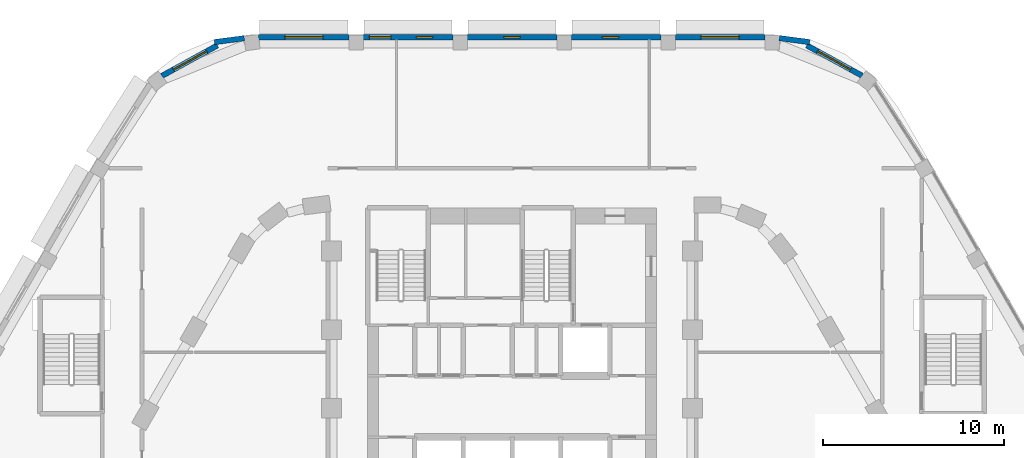
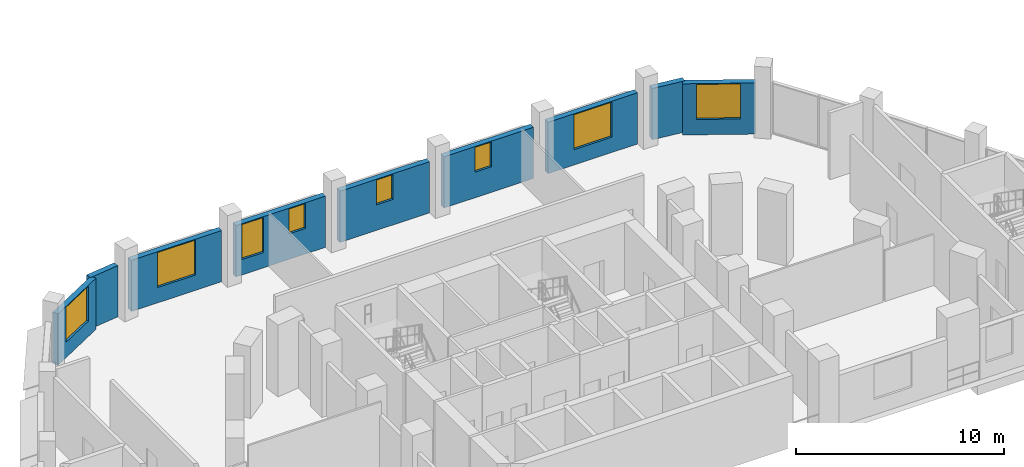
# One storey, part 22 of 45: 9 walls, 8 windows, 8 openings.
"""IFC4 building model written with IfcOpenShell, lengths in metres."""

from ifc_helpers import new_model, si_unit, direction, frame, frame_2d, origin, place, context, subcontext, project, spatial, rectangle, extrude, material, layer, layer_set, type_object, element, fill, save


model = new_model("IFC4")

# Units and contexts
model_context = context("Model", 3, precision=1e-05, world=origin(), true_north=direction((0.0, 1.0)))
body_context = subcontext(model_context, "Body", "Model", "MODEL_VIEW")
ifc_project = project(units=[si_unit("LENGTHUNIT", "METRE"), si_unit("AREAUNIT", "SQUARE_METRE"), si_unit("VOLUMEUNIT", "CUBIC_METRE"), si_unit("PLANEANGLEUNIT", "RADIAN"), si_unit("MASSUNIT", "GRAM", prefix="KILO")], contexts=[model_context])

# Site, building, storey
site_placement = place(None, origin())
site = spatial("IfcSite", under=ifc_project, at=site_placement, CompositionType="ELEMENT")
building_placement = place(site_placement, origin())
building = spatial("IfcBuilding", under=site, at=building_placement, Name="Nakaniwa Court", CompositionType="ELEMENT")
storey_placement = place(building_placement, frame((0.0, 0.0, 11.39990234375)))
storey = spatial("IfcBuildingStorey", under=building, at=storey_placement, Name="L02", CompositionType="ELEMENT", Elevation=11.39990234375)

# Wall, opening, window
ifc_material_1 = material(Name="Charcoal ceramic cladding")
ifc_layer_1 = layer(ifc_material_1, 0.02, Name="Ceramic cladding")
ifc_material_2 = material(Name="Ventilated air cavity")
ifc_layer_2 = layer(ifc_material_2, 0.04, ventilated=True, Name="Ventilated cavity")
ifc_material_3 = material(Name="Mineral wool insulation")
ifc_layer_3 = layer(ifc_material_3, 0.1, Name="Insulation")
ifc_material_4 = material(Name="Cement bonded sheathing board")
ifc_layer_4 = layer(ifc_material_4, 0.012, Name="Sheathing")
ifc_material_5 = material(Name="Cold-formed galvanised stud frame with mineral wool infill")
ifc_layer_5 = layer(ifc_material_5, 0.1, Name="Stud frame")
ifc_material_6 = material(Name="Fire-rated gypsum plasterboard lining")
ifc_layer_6 = layer(ifc_material_6, 0.028, Name="Lining")
ifc_layer_set = layer_set([ifc_layer_1, ifc_layer_2, ifc_layer_3, ifc_layer_4, ifc_layer_5, ifc_layer_6], Name="Charcoal ceramic faced external wall system")
wall_type = type_object("IfcWallType", Name="Black ceramic faced external wall 300", PredefinedType="SOLIDWALL", material=ifc_layer_set)
wall_1_placement = place(storey_placement, frame((99.388671875, 110.71533203125, 0.0), z_axis=(0.0, 0.0, 1.0), x_axis=(-0.876785818174, 0.480881096581, 0.0)))
wall_1 = element("IfcWall", 1, at=wall_1_placement, inside=storey, type_object=wall_type, Name="L02 external wall 44", PredefinedType="SOLIDWALL", context=body_context, shape_type="SweptSolid", body=[
    extrude(rectangle(XDim=3.49658203125, YDim=0.300048828125, at=frame_2d((1.748291015625, 0.0))), origin(), (0.0, 0.0, 1.0), 3.0),
])
opening_1_placement = place(wall_1_placement, frame((0.723388671875, 0.0, 0.89990234375)))
opening_1 = element("IfcOpeningElement", 2, at=opening_1_placement, cuts=wall_1, Name="Opening W2.32", PredefinedType="OPENING", context=body_context, shape_type="SweptSolid", body=[
    extrude(rectangle(XDim=2.10009765625, YDim=2.050048828125, at=frame_2d((1.050048828125, 1.02490234375))), frame((0.0, 0.159912109375, 0.0), z_axis=(0.0, -1.0, 0.0), x_axis=(1.0, 0.0, 0.0)), (0.0, 0.0, 1.0), 0.320068359375),
])
ifc_material_7 = material(Name="Black anodised aluminium frame with dark low-E laminated double glazing", Category="aluminium")
window_type_1 = type_object("IfcWindowType", Name="Dark glass window 2100x2050 sill 900", PartitioningType="SINGLE_PANEL", PredefinedType="WINDOW", material=ifc_material_7)
window_1_placement = place(opening_1_placement, origin())
window_1 = element("IfcWindow", 3, at=window_1_placement, inside=storey, type_object=window_type_1, Name="L02 habitable room window 44-0", OverallHeight=2.050048828125, OverallWidth=2.10009765625, PartitioningType="SINGLE_PANEL", PredefinedType="WINDOW", context=body_context, shape_type="SweptSolid", body=[
    extrude(rectangle(XDim=2.10009765625, YDim=2.050048828125, at=frame_2d((1.050048828125, 1.02490234375))), frame((0.0, 0.030029296875, 0.0), z_axis=(0.0, -1.0, 0.0), x_axis=(1.0, 0.0, 0.0)), (0.0, 0.0, 1.0), 0.06005859375),
])
fill(opening_1, window_1)

# Wall
wall_2_placement = place(storey_placement, frame((96.484619140625, 112.57861328125, 0.0), z_axis=(0.0, 0.0, 1.0), x_axis=(-0.991431291018, 0.130629227937, 0.0)))
element("IfcWall", 4, at=wall_2_placement, inside=storey, type_object=wall_type, Name="L02 external wall 45", PredefinedType="SOLIDWALL", context=body_context, shape_type="SweptSolid", body=[
    extrude(rectangle(XDim=1.698974609375, YDim=0.300048828125, at=frame_2d((0.849609375, 0.0))), origin(), (0.0, 0.0, 1.0), 3.0),
])

# Wall, opening, window
wall_3_placement = place(storey_placement, frame((94.00830078125, 112.85009765625, 0.0), z_axis=(0.0, 0.0, 1.0), x_axis=(-1.0, 0.0, 0.0)))
wall_3 = element("IfcWall", 5, at=wall_3_placement, inside=storey, type_object=wall_type, Name="L02 external wall 46", PredefinedType="SOLIDWALL", context=body_context, shape_type="SweptSolid", body=[
    extrude(rectangle(XDim=4.9697265625, YDim=0.300048828125, at=frame_2d((2.48486328125, 0.0))), origin(), (0.0, 0.0, 1.0), 3.0),
])
opening_2_placement = place(wall_3_placement, frame((1.434814453125, 0.0, 0.89990234375)))
opening_2 = element("IfcOpeningElement", 6, at=opening_2_placement, cuts=wall_3, Name="Opening W2.33", PredefinedType="OPENING", context=body_context, shape_type="SweptSolid", body=[
    extrude(rectangle(XDim=2.10009765625, YDim=2.050048828125, at=frame_2d((1.050048828125, 1.02490234375))), frame((0.0, 0.159912109375, 0.0), z_axis=(0.0, -1.0, 0.0), x_axis=(1.0, 0.0, 0.0)), (0.0, 0.0, 1.0), 0.320068359375),
])
window_2_placement = place(opening_2_placement, origin())
window_2 = element("IfcWindow", 7, at=window_2_placement, inside=storey, type_object=window_type_1, Name="L02 habitable room window 46-0", OverallHeight=2.050048828125, OverallWidth=2.10009765625, PartitioningType="SINGLE_PANEL", PredefinedType="WINDOW", context=body_context, shape_type="SweptSolid", body=[
    extrude(rectangle(XDim=2.10009765625, YDim=2.050048828125, at=frame_2d((1.050048828125, 1.02490234375))), frame((0.0, 0.030029296875, 0.0), z_axis=(0.0, -1.0, 0.0), x_axis=(1.0, 0.0, 0.0)), (0.0, 0.0, 1.0), 0.06005859375),
])
fill(opening_2, window_2)

wall_4_placement = place(storey_placement, frame((88.24658203125, 112.85009765625, 0.0), z_axis=(0.0, 0.0, 1.0), x_axis=(-1.0, 0.0, 0.0)))
wall_4 = element("IfcWall", 8, at=wall_4_placement, inside=storey, type_object=wall_type, Name="L02 external wall 47", PredefinedType="SOLIDWALL", context=body_context, shape_type="SweptSolid", body=[
    extrude(rectangle(XDim=4.9697265625, YDim=0.300048828125, at=frame_2d((2.48486328125, 0.0))), origin(), (0.0, 0.0, 1.0), 3.0),
])
opening_3_placement = place(wall_4_placement, frame((2.34619140625, 0.0, 1.5)))
opening_3 = element("IfcOpeningElement", 9, at=opening_3_placement, cuts=wall_4, Name="Opening W3.34", PredefinedType="OPENING", context=body_context, shape_type="SweptSolid", body=[
    extrude(rectangle(XDim=0.89990234375, YDim=1.449951171875, at=frame_2d((0.449951171875, 0.72509765625))), frame((0.0, 0.159912109375, 0.0), z_axis=(0.0, -1.0, 0.0), x_axis=(1.0, 0.0, 0.0)), (0.0, 0.0, 1.0), 0.320068359375),
])
window_type_2 = type_object("IfcWindowType", Name="Dark glass window 900x1450 sill 1500", PartitioningType="SINGLE_PANEL", PredefinedType="WINDOW", material=ifc_material_7)
window_3_placement = place(opening_3_placement, origin())
window_3 = element("IfcWindow", 10, at=window_3_placement, inside=storey, type_object=window_type_2, Name="L02 bathroom window 47-1", OverallHeight=1.449951171875, OverallWidth=0.89990234375, PartitioningType="SINGLE_PANEL", PredefinedType="WINDOW", context=body_context, shape_type="SweptSolid", body=[
    extrude(rectangle(XDim=0.89990234375, YDim=1.449951171875, at=frame_2d((0.449951171875, 0.72509765625))), frame((0.0, 0.030029296875, 0.0), z_axis=(0.0, -1.0, 0.0), x_axis=(1.0, 0.0, 0.0)), (0.0, 0.0, 1.0), 0.06005859375),
])
fill(opening_3, window_3)

wall_5_placement = place(storey_placement, frame((82.48486328125, 112.85009765625, 0.0), z_axis=(0.0, 0.0, 1.0), x_axis=(-1.0, 0.0, 0.0)))
wall_5 = element("IfcWall", 11, at=wall_5_placement, inside=storey, type_object=wall_type, Name="L02 external wall 48", PredefinedType="SOLIDWALL", context=body_context, shape_type="SweptSolid", body=[
    extrude(rectangle(XDim=4.9697265625, YDim=0.300048828125, at=frame_2d((2.48486328125, 0.0))), origin(), (0.0, 0.0, 1.0), 3.0),
])
opening_4_placement = place(wall_5_placement, frame((2.034912109375, 0.0, 1.5)))
opening_4 = element("IfcOpeningElement", 12, at=opening_4_placement, cuts=wall_5, Name="Opening W3.35", PredefinedType="OPENING", context=body_context, shape_type="SweptSolid", body=[
    extrude(rectangle(XDim=0.89990234375, YDim=1.449951171875, at=frame_2d((0.449951171875, 0.72509765625))), frame((0.0, 0.159912109375, 0.0), z_axis=(0.0, -1.0, 0.0), x_axis=(1.0, 0.0, 0.0)), (0.0, 0.0, 1.0), 0.320068359375),
])
window_4_placement = place(opening_4_placement, origin())
window_4 = element("IfcWindow", 13, at=window_4_placement, inside=storey, type_object=window_type_2, Name="L02 bathroom window 48-0", OverallHeight=1.449951171875, OverallWidth=0.89990234375, PartitioningType="SINGLE_PANEL", PredefinedType="WINDOW", context=body_context, shape_type="SweptSolid", body=[
    extrude(rectangle(XDim=0.89990234375, YDim=1.449951171875, at=frame_2d((0.449951171875, 0.72509765625))), frame((0.0, 0.030029296875, 0.0), z_axis=(0.0, -1.0, 0.0), x_axis=(1.0, 0.0, 0.0)), (0.0, 0.0, 1.0), 0.06005859375),
])
fill(opening_4, window_4)

# Wall, openings, windows
wall_6_placement = place(storey_placement, frame((76.72314453125, 112.85009765625, 0.0), z_axis=(0.0, 0.0, 1.0), x_axis=(-1.0, 0.0, 0.0)))
wall_6 = element("IfcWall", 14, at=wall_6_placement, inside=storey, type_object=wall_type, Name="L02 external wall 49", PredefinedType="SOLIDWALL", context=body_context, shape_type="SweptSolid", body=[
    extrude(rectangle(XDim=4.9697265625, YDim=0.300048828125, at=frame_2d((2.48486328125, 0.0))), origin(), (0.0, 0.0, 1.0), 3.0),
])
opening_5_placement = place(wall_6_placement, frame((1.12353515625, 0.0, 1.5)))
opening_5 = element("IfcOpeningElement", 15, at=opening_5_placement, cuts=wall_6, Name="Opening W3.36", PredefinedType="OPENING", context=body_context, shape_type="SweptSolid", body=[
    extrude(rectangle(XDim=0.89990234375, YDim=1.449951171875, at=frame_2d((0.449951171875, 0.72509765625))), frame((0.0, 0.159912109375, 0.0), z_axis=(0.0, -1.0, 0.0), x_axis=(1.0, 0.0, 0.0)), (0.0, 0.0, 1.0), 0.320068359375),
])
opening_6_placement = place(wall_6_placement, frame((3.434326171875, 0.0, 0.89990234375)))
opening_6 = element("IfcOpeningElement", 16, at=opening_6_placement, cuts=wall_6, Name="Opening W1.37", PredefinedType="OPENING", context=body_context, shape_type="SweptSolid", body=[
    extrude(rectangle(XDim=1.199951171875, YDim=2.050048828125, at=frame_2d((0.60009765625, 1.02490234375))), frame((0.0, 0.159912109375, 0.0), z_axis=(0.0, -1.0, 0.0), x_axis=(1.0, 0.0, 0.0)), (0.0, 0.0, 1.0), 0.320068359375),
])
window_type_3 = type_object("IfcWindowType", Name="Dark glass window 1200x2050 sill 900", PartitioningType="SINGLE_PANEL", PredefinedType="WINDOW", material=ifc_material_7)
window_5_placement = place(opening_6_placement, origin())
window_5 = element("IfcWindow", 17, at=window_5_placement, inside=storey, type_object=window_type_3, Name="L02 habitable room window 49-1", OverallHeight=2.050048828125, OverallWidth=1.199951171875, PartitioningType="SINGLE_PANEL", PredefinedType="WINDOW", context=body_context, shape_type="SweptSolid", body=[
    extrude(rectangle(XDim=1.199951171875, YDim=2.050048828125, at=frame_2d((0.60009765625, 1.02490234375))), frame((0.0, 0.030029296875, 0.0), z_axis=(0.0, -1.0, 0.0), x_axis=(1.0, 0.0, 0.0)), (0.0, 0.0, 1.0), 0.06005859375),
])
fill(opening_6, window_5)
window_6_placement = place(opening_5_placement, origin())
window_6 = element("IfcWindow", 18, at=window_6_placement, inside=storey, type_object=window_type_2, Name="L02 bathroom window 49-0", OverallHeight=1.449951171875, OverallWidth=0.89990234375, PartitioningType="SINGLE_PANEL", PredefinedType="WINDOW", context=body_context, shape_type="SweptSolid", body=[
    extrude(rectangle(XDim=0.89990234375, YDim=1.449951171875, at=frame_2d((0.449951171875, 0.72509765625))), frame((0.0, 0.030029296875, 0.0), z_axis=(0.0, -1.0, 0.0), x_axis=(1.0, 0.0, 0.0)), (0.0, 0.0, 1.0), 0.06005859375),
])
fill(opening_5, window_6)

# Wall, opening, window
wall_7_placement = place(storey_placement, frame((70.96142578125, 112.85009765625, 0.0), z_axis=(0.0, 0.0, 1.0), x_axis=(-1.0, 0.0, 0.0)))
wall_7 = element("IfcWall", 19, at=wall_7_placement, inside=storey, type_object=wall_type, Name="L02 external wall 50", PredefinedType="SOLIDWALL", context=body_context, shape_type="SweptSolid", body=[
    extrude(rectangle(XDim=5.005615234375, YDim=0.300048828125, at=frame_2d((2.5029296875, 0.0))), origin(), (0.0, 0.0, 1.0), 3.0),
])
opening_7_placement = place(wall_7_placement, frame((1.441650390625, 0.0, 0.89990234375)))
opening_7 = element("IfcOpeningElement", 20, at=opening_7_placement, cuts=wall_7, Name="Opening W2.38", PredefinedType="OPENING", context=body_context, shape_type="SweptSolid", body=[
    extrude(rectangle(XDim=2.10009765625, YDim=2.050048828125, at=frame_2d((1.050048828125, 1.02490234375))), frame((0.0, 0.159912109375, 0.0), z_axis=(0.0, -1.0, 0.0), x_axis=(1.0, 0.0, 0.0)), (0.0, 0.0, 1.0), 0.320068359375),
])
window_7_placement = place(opening_7_placement, origin())
window_7 = element("IfcWindow", 21, at=window_7_placement, inside=storey, type_object=window_type_1, Name="L02 habitable room window 50-0", OverallHeight=2.050048828125, OverallWidth=2.10009765625, PartitioningType="SINGLE_PANEL", PredefinedType="WINDOW", context=body_context, shape_type="SweptSolid", body=[
    extrude(rectangle(XDim=2.10009765625, YDim=2.050048828125, at=frame_2d((1.050048828125, 1.02490234375))), frame((0.0, 0.030029296875, 0.0), z_axis=(0.0, -1.0, 0.0), x_axis=(1.0, 0.0, 0.0)), (0.0, 0.0, 1.0), 0.06005859375),
])
fill(opening_7, window_7)

# Wall
wall_8_placement = place(storey_placement, frame((65.1640625, 112.795654296875, 0.0), z_axis=(0.0, 0.0, 1.0), x_axis=(-0.991445798324, -0.130519075183, 0.0)))
element("IfcWall", 22, at=wall_8_placement, inside=storey, type_object=wall_type, Name="L02 external wall 51", PredefinedType="SOLIDWALL", context=body_context, shape_type="SweptSolid", body=[
    extrude(rectangle(XDim=1.662841796875, YDim=0.300048828125, at=frame_2d((0.83154296875, 0.0))), origin(), (0.0, 0.0, 1.0), 3.0),
])

# Wall, opening, window
wall_9_placement = place(storey_placement, frame((63.677978515625, 112.395751953125, 0.0), z_axis=(0.0, 0.0, 1.0), x_axis=(-0.876502039768, -0.481398145284, 0.0)))
wall_9 = element("IfcWall", 23, at=wall_9_placement, inside=storey, type_object=wall_type, Name="L02 external wall 52", PredefinedType="SOLIDWALL", context=body_context, shape_type="SweptSolid", body=[
    extrude(rectangle(XDim=3.510986328125, YDim=0.300048828125, at=frame_2d((1.75537109375, 0.0))), origin(), (0.0, 0.0, 1.0), 3.0),
])
opening_8_placement = place(wall_9_placement, frame((0.680419921875, 0.0, 0.89990234375)))
opening_8 = element("IfcOpeningElement", 24, at=opening_8_placement, cuts=wall_9, Name="Opening W2.39", PredefinedType="OPENING", context=body_context, shape_type="SweptSolid", body=[
    extrude(rectangle(XDim=2.10009765625, YDim=2.050048828125, at=frame_2d((1.050048828125, 1.02490234375))), frame((0.0, 0.159912109375, 0.0), z_axis=(0.0, -1.0, 0.0), x_axis=(1.0, 0.0, 0.0)), (0.0, 0.0, 1.0), 0.320068359375),
])
window_8_placement = place(opening_8_placement, origin())
window_8 = element("IfcWindow", 25, at=window_8_placement, inside=storey, type_object=window_type_1, Name="L02 habitable room window 52-0", OverallHeight=2.050048828125, OverallWidth=2.10009765625, PartitioningType="SINGLE_PANEL", PredefinedType="WINDOW", context=body_context, shape_type="SweptSolid", body=[
    extrude(rectangle(XDim=2.10009765625, YDim=2.050048828125, at=frame_2d((1.050048828125, 1.02490234375))), frame((0.0, 0.030029296875, 0.0), z_axis=(0.0, -1.0, 0.0), x_axis=(1.0, 0.0, 0.0)), (0.0, 0.0, 1.0), 0.06005859375),
])
fill(opening_8, window_8)

save(model, "model.ifc")
